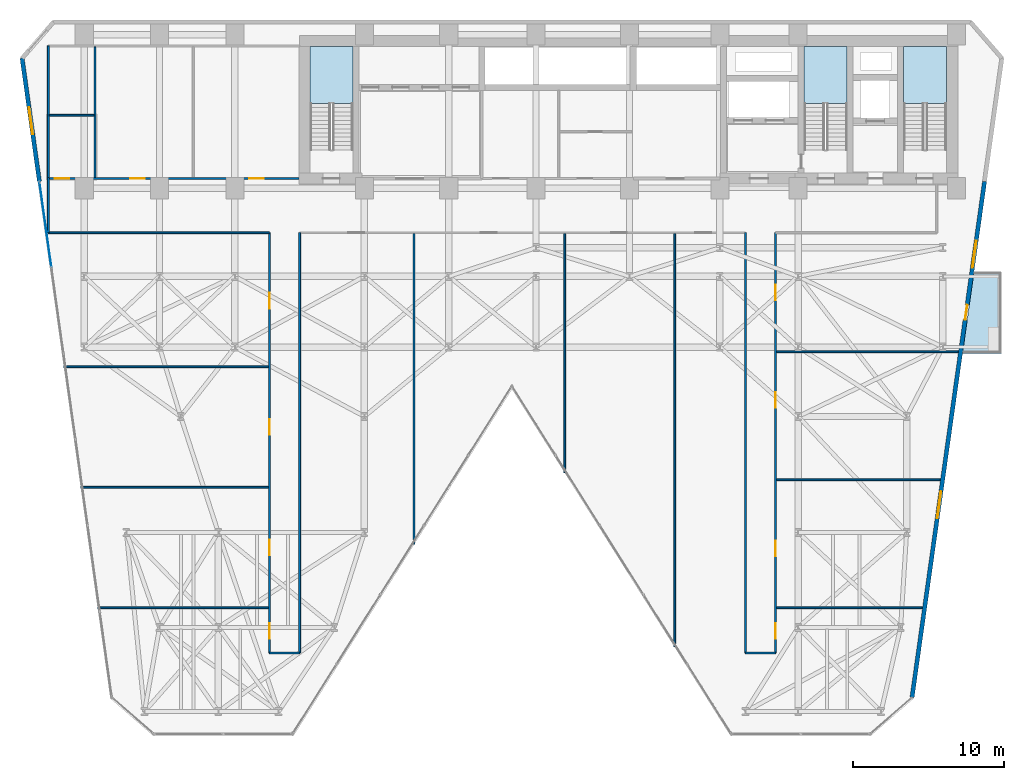
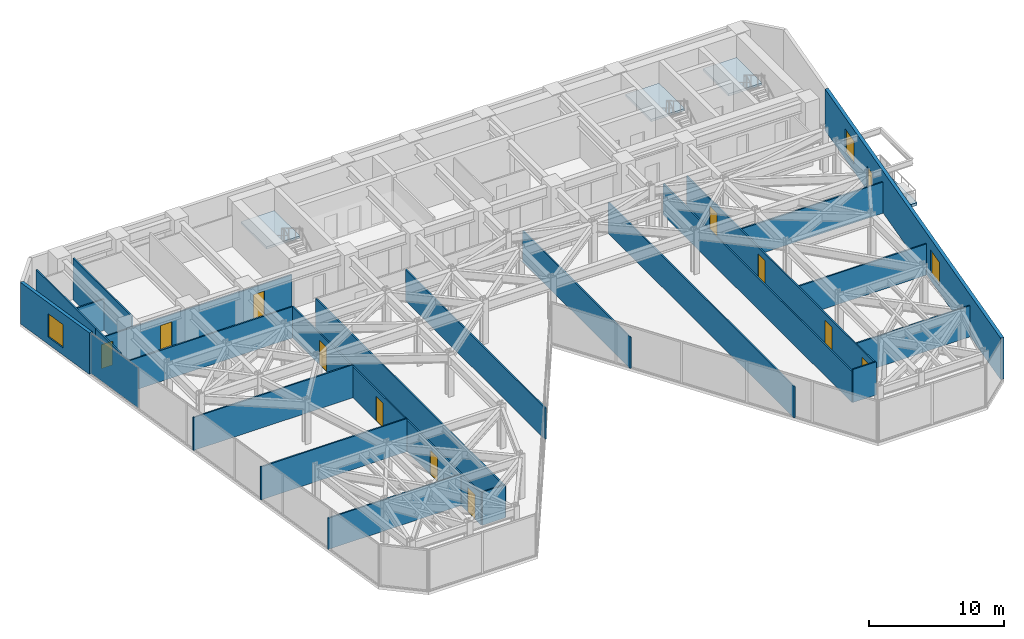
# One storey, part 19 of 24: 23 walls, 12 doors, 4 slabs, 3 windows, 1 plate, 15 openings, 4 elements without a shape of their own.
"""IFC4 building model written with IfcOpenShell, lengths in metres."""

import ifcopenshell
import ifcopenshell.guid

model = None  # the IFC model being written
_history = None  # IfcOwnerHistory: only IFC2X3 demands one
_inside = {}  # id of a spatial element -> (the spatial element, [elements in it])
_under = {}  # id of a project, library or spatial element -> (it, [spatial elements below it])
_declared = {}  # id of a project -> (the project, [libraries it declares])
_typed = {}  # id of a type object -> (the type object, [elements of that type])
_made_of = {}  # id of a material, layer set ... -> (it, [elements and type objects made of it])


def new_model(schema):
    """Start an empty IFC model of exactly this schema.

    Asked for "IFC4X3", IfcOpenShell would pick the latest addendum, in which some entities
    have other attributes; the version numbers below select the first issue.
    IFC2X3 requires an IfcOwnerHistory on every rooted entity: one is made here for all.
    """
    global model, _history
    if schema == "IFC4X3":
        model = ifcopenshell.file(schema_version=(4, 3, 0, 0))
    else:
        model = ifcopenshell.file(schema=schema)
    _inside.clear()
    _under.clear()
    _declared.clear()
    _typed.clear()
    _made_of.clear()
    _history = None
    if model.schema == "IFC2X3":
        org = make("IfcOrganization", Name="unknown")
        user = make(
            "IfcPersonAndOrganization",
            ThePerson=make("IfcPerson", FamilyName="unknown"),
            TheOrganization=org,
        )
        app = make(
            "IfcApplication",
            ApplicationDeveloper=org,
            Version="unknown",
            ApplicationFullName="unknown",
            ApplicationIdentifier="unknown",
        )
        _history = make(
            "IfcOwnerHistory",
            OwningUser=user,
            OwningApplication=app,
            ChangeAction="ADDED",
            CreationDate=0,
        )
    return model


def make(cls, **values):
    """One entity of the class cls with the attributes given. An attribute that is None is left unset."""
    return model.create_entity(
        cls, **{name: value for name, value in values.items() if value is not None}
    )


def rooted(cls, **values):
    """An entity with a GlobalId (a new one), such as an element, a storey or a relation."""
    return make(cls, GlobalId=ifcopenshell.guid.new(), OwnerHistory=_history, **values)


def si_unit(unit_type, name, prefix=None):
    """IfcSIUnit, for example si_unit("LENGTHUNIT", "METRE", prefix="MILLI")."""
    return make("IfcSIUnit", UnitType=unit_type, Prefix=prefix, Name=name)


def assignment(units):
    """IfcUnitAssignment: the units of a project."""
    return None if units is None else make("IfcUnitAssignment", Units=units)


def point(xyz):
    """IfcCartesianPoint."""
    return None if xyz is None else make("IfcCartesianPoint", Coordinates=xyz)


def direction(xyz):
    """IfcDirection."""
    return None if xyz is None else make("IfcDirection", DirectionRatios=xyz)


def frame(location, z_axis=None, x_axis=None):
    """IfcAxis2Placement3D, a coordinate frame: its origin and axes. An axis left out is left unset."""
    return make(
        "IfcAxis2Placement3D",
        Location=point(location),
        Axis=direction(z_axis),
        RefDirection=direction(x_axis),
    )


def frame_2d(location, x_axis=None):
    """IfcAxis2Placement2D, a coordinate frame in the plane: its origin and x axis."""
    return make(
        "IfcAxis2Placement2D", Location=point(location), RefDirection=direction(x_axis)
    )


def origin():
    """The frame at (0, 0, 0) with its axes left unset."""
    return frame((0.0, 0.0, 0.0))


def origin_2d():
    """The frame at (0, 0) in the plane with its x axis left unset."""
    return frame_2d((0.0, 0.0))


def place(relative_to, where):
    """IfcLocalPlacement: puts the frame where relative to a parent placement (None: the world)."""
    return make(
        "IfcLocalPlacement", PlacementRelTo=relative_to, RelativePlacement=where
    )


def context(
    kind, dimensions, precision=None, world=None, true_north=None, identifier=None
):
    """IfcGeometricRepresentationContext, for example the 3D "Model" context."""
    return make(
        "IfcGeometricRepresentationContext",
        ContextIdentifier=identifier,
        ContextType=kind,
        CoordinateSpaceDimension=dimensions,
        Precision=precision,
        WorldCoordinateSystem=world,
        TrueNorth=true_north,
    )


def subcontext(parent, identifier, kind, view, scale=None):
    """IfcGeometricRepresentationSubContext, for example "Body" below "Model"."""
    return make(
        "IfcGeometricRepresentationSubContext",
        ContextIdentifier=identifier,
        ContextType=kind,
        ParentContext=parent,
        TargetScale=scale,
        TargetView=view,
    )


def project(units=None, contexts=None):
    """IfcProject with its units and contexts."""
    return rooted(
        "IfcProject",
        Name="project",
        RepresentationContexts=contexts,
        UnitsInContext=assignment(units),
    )


def spatial(cls, under=None, at=None, **own):
    """A site, building, storey or space (cls), placed at a placement, below another one or the project."""
    s = rooted(cls, ObjectPlacement=at, **own)
    if under is not None:
        _under.setdefault(under.id(), (under, []))[1].append(s)
    return s


def polyline(points):
    """IfcPolyline through the points."""
    return make("IfcPolyline", Points=[point(p) for p in points])


def profile(cls, at=None, kind="AREA", **sizes):
    """A parametric profile (cls). Its sizes go by their IFC names, for example OverallWidth=200.0."""
    return make(cls, ProfileType=kind, Position=at, **sizes)


def rectangle(**sizes):
    """IfcRectangleProfileDef."""
    return profile("IfcRectangleProfileDef", **sizes)


def outline(outer, holes=None, kind="AREA"):
    """IfcArbitraryClosedProfileDef: a profile drawn as a closed curve; with holes, ...WithVoids."""
    if holes is None:
        return make("IfcArbitraryClosedProfileDef", ProfileType=kind, OuterCurve=outer)
    return make(
        "IfcArbitraryProfileDefWithVoids",
        ProfileType=kind,
        OuterCurve=outer,
        InnerCurves=holes,
    )


def extrude(swept, where, along, depth):
    """IfcExtrudedAreaSolid: the profile swept, set in the frame where, extruded along a direction by depth."""
    return make(
        "IfcExtrudedAreaSolid",
        SweptArea=swept,
        Position=where,
        ExtrudedDirection=direction(along),
        Depth=depth,
    )


def shape(context_of_items, identifier, shape_type, items):
    """IfcShapeRepresentation: the items that make up one representation, for example the "Body"."""
    return make(
        "IfcShapeRepresentation",
        ContextOfItems=context_of_items,
        RepresentationIdentifier=identifier,
        RepresentationType=shape_type,
        Items=items,
    )


def material(Name=None, Category=None):
    """IfcMaterial."""
    return make("IfcMaterial", Name=Name, Category=Category)


def layer(
    of_material, thickness, ventilated=None, Name=None, Category=None, Priority=None
):
    """IfcMaterialLayer: one layer of a wall or slab, of a material (None: an air gap)."""
    return make(
        "IfcMaterialLayer",
        Material=of_material,
        LayerThickness=thickness,
        IsVentilated=ventilated,
        Name=Name,
        Category=Category,
        Priority=Priority,
    )


def layer_set(layers, Name=None):
    """IfcMaterialLayerSet."""
    return make("IfcMaterialLayerSet", MaterialLayers=layers, LayerSetName=Name)


def made_of(thing, what):
    """Note that an element or type object is made of a material, layer set ...; save() writes the relation."""
    if what is not None:
        _made_of.setdefault(what.id(), (what, []))[1].append(thing)
    return thing


def type_object(cls, material=None, **own):
    """A type object (cls), such as IfcWallType, which elements share."""
    return made_of(rooted(cls, **own), material)


def element(
    cls,
    number,
    at=None,
    inside=None,
    cuts=None,
    type_object=None,
    material=None,
    context=None,
    identifier="Body",
    shape_type=None,
    held_by="IfcProductDefinitionShape",
    body=None,
    shapes=None,
    **own,
):
    """One element of the class cls, such as IfcWall. Its Tag is "e" and its number.

    at: its placement. inside: the storey or other place that contains it. cuts: it is an
    opening in that element (IfcRelVoidsElement). A single representation is given by context,
    identifier, shape_type and body (its items); several are given by shapes. held_by: the class
    of the entity that holds the representations. save() writes the other relations.
    """
    e = rooted(cls, Tag="e%d" % number, ObjectPlacement=at, **own)
    if body is not None:
        shapes = [shape(context, identifier, shape_type, body)]
    if shapes is not None:
        e.Representation = make(held_by, Representations=shapes)
    if inside is not None:
        _inside.setdefault(inside.id(), (inside, []))[1].append(e)
    if cuts is not None:
        rooted(
            "IfcRelVoidsElement", RelatingBuildingElement=cuts, RelatedOpeningElement=e
        )
    if type_object is not None:
        _typed.setdefault(type_object.id(), (type_object, []))[1].append(e)
    return made_of(e, material)


def fill(opening, filler):
    """IfcRelFillsElement: the door or window that sits in an opening."""
    return rooted(
        "IfcRelFillsElement",
        RelatingOpeningElement=opening,
        RelatedBuildingElement=filler,
    )


def aggregate(whole, parts):
    """IfcRelAggregates: a whole, such as a stair, and the parts it consists of."""
    return rooted("IfcRelAggregates", RelatingObject=whole, RelatedObjects=parts)


def save(model, path):
    """Write the relations noted so far, then the file.

    IfcRelAggregates (storeys below a building ...), IfcRelContainedInSpatialStructure (elements
    in a storey), IfcRelDefinesByType, IfcRelAssociatesMaterial and IfcRelDeclares: one each for
    every whole, place, type object, material and project.
    """
    for whole, parts in _under.values():
        aggregate(whole, parts)
    for where, things in _inside.values():
        rooted(
            "IfcRelContainedInSpatialStructure",
            RelatedElements=things,
            RelatingStructure=where,
        )
    for kind, things in _typed.values():
        rooted("IfcRelDefinesByType", RelatedObjects=things, RelatingType=kind)
    for what, things in _made_of.values():
        rooted("IfcRelAssociatesMaterial", RelatedObjects=things, RelatingMaterial=what)
    for by, libraries in _declared.values():
        rooted("IfcRelDeclares", RelatingContext=by, RelatedDefinitions=libraries)
    model.write(path)


model = new_model("IFC4")

# Units and contexts
model_context = context("Model", 3, precision=1e-05, world=origin(), true_north=direction((0.0, 1.0)))
body_context = subcontext(model_context, "Body", "Model", "MODEL_VIEW")
ifc_project = project(units=[si_unit("LENGTHUNIT", "METRE"), si_unit("AREAUNIT", "SQUARE_METRE"), si_unit("VOLUMEUNIT", "CUBIC_METRE"), si_unit("PLANEANGLEUNIT", "RADIAN"), si_unit("MASSUNIT", "GRAM", prefix="KILO")], contexts=[model_context])

# Site, building, storey
site_placement = place(None, origin())
site = spatial("IfcSite", under=ifc_project, at=site_placement, CompositionType="ELEMENT")
building_placement = place(site_placement, origin())
building = spatial("IfcBuilding", under=site, at=building_placement, Name="Kravanh Interchange Tower", CompositionType="ELEMENT")
storey_placement = place(building_placement, frame((0.0, 0.0, 53.5)))
storey = spatial("IfcBuildingStorey", under=building, at=storey_placement, Name="L12", CompositionType="ELEMENT", Elevation=53.5)

# Stair, slab
ifc_material_1 = material(Name="Concrete C50/60", Category="concrete")
stair_type = type_object("IfcStairType", Name="Core Fire Exit Dogleg Stair Concrete C50/60", PredefinedType="HALF_TURN_STAIR", material=ifc_material_1)
stair_1_placement = place(storey_placement, origin())
stair_1 = element("IfcStair", 1, at=stair_1_placement, inside=storey, type_object=stair_type, Name="L12 Exit Stair ST1", PredefinedType="HALF_TURN_STAIR")
ifc_material_2 = material(Name="Concrete C50/60", Category="concrete")
ifc_layer_1 = layer(ifc_material_2, 0.199951171875)
ifc_layer_set_1 = layer_set([ifc_layer_1], Name="Concrete C50/60 Stair Half-Landing Slab 200mm")
slab_type_1 = type_object("IfcSlabType", Name="Concrete C50/60 Stair Half-Landing Slab 200mm", PredefinedType="LANDING", material=ifc_layer_set_1)
slab_1_placement = place(storey_placement, frame((0.0, 0.0, 1.800048828125)))
slab_1 = element("IfcSlab", 2, at=slab_1_placement, type_object=slab_type_1, Name="ST1 landing 1", PredefinedType="LANDING", context=body_context, shape_type="SweptSolid", body=[
    extrude(outline(polyline([(65.85009765625, 42.97998046875), (65.85009765625, 46.75), (63.0, 46.75), (63.0, 42.97998046875), (65.85009765625, 42.97998046875)])), origin(), (0.0, 0.0, 1.0), 0.199951171875),
])
aggregate(stair_1, [slab_1])

stair_2_placement = place(storey_placement, origin())
stair_2 = element("IfcStair", 3, at=stair_2_placement, inside=storey, type_object=stair_type, Name="L12 Exit Stair ST2", PredefinedType="HALF_TURN_STAIR")
slab_2_placement = place(storey_placement, frame((0.0, 0.0, 1.800048828125)))
slab_2 = element("IfcSlab", 4, at=slab_2_placement, type_object=slab_type_1, Name="ST2 landing 1", PredefinedType="LANDING", context=body_context, shape_type="SweptSolid", body=[
    extrude(outline(polyline([(59.25, 42.97998046875), (59.25, 46.75), (56.39990234375, 46.75), (56.39990234375, 42.97998046875), (59.25, 42.97998046875)])), origin(), (0.0, 0.0, 1.0), 0.199951171875),
])
aggregate(stair_2, [slab_2])

stair_3_placement = place(storey_placement, origin())
stair_3 = element("IfcStair", 5, at=stair_3_placement, inside=storey, type_object=stair_type, Name="L12 Exit Stair ST3", PredefinedType="HALF_TURN_STAIR")
slab_3_placement = place(storey_placement, frame((0.0, 0.0, 1.800048828125)))
slab_3 = element("IfcSlab", 6, at=slab_3_placement, type_object=slab_type_1, Name="ST3 landing 1", PredefinedType="LANDING", context=body_context, shape_type="SweptSolid", body=[
    extrude(outline(polyline([(26.449951171875, 42.97998046875), (26.449951171875, 46.75), (23.60009765625, 46.75), (23.60009765625, 42.97998046875), (26.449951171875, 42.97998046875)])), origin(), (0.0, 0.0, 1.0), 0.199951171875),
])
aggregate(stair_3, [slab_3])

# Slab
ifc_material_3 = material(Name="Concrete C50/60", Category="concrete")
ifc_layer_2 = layer(ifc_material_3, 0.199951171875)
ifc_layer_set_2 = layer_set([ifc_layer_2], Name="Planted Tree Balcony Slab Concrete C50/60 200mm")
slab_type_2 = type_object("IfcSlabType", Name="Planted Tree Balcony Slab Concrete C50/60 200mm", PredefinedType="USERDEFINED", material=ifc_layer_set_2)
slab_4_placement = place(storey_placement, frame((0.0, 0.0, -0.260009765625)))
element("IfcSlab", 7, at=slab_4_placement, inside=storey, type_object=slab_type_2, Name="L12 East Tree Planter Balcony Slab", ObjectType="BALCONY", PredefinedType="USERDEFINED", context=body_context, shape_type="SweptSolid", body=[
    extrude(outline(polyline([(69.489990234375, 31.7900390625), (69.489990234375, 26.389892578125), (66.90771484375, 26.389892578125), (67.666748046875, 31.7900390625), (69.489990234375, 31.7900390625)])), origin(), (0.0, 0.0, 1.0), 0.260009765625),
])

# Curtain wall, plate
ifc_material_4 = material(Name="Anodised Bronze Aluminium", Category="aluminium")
ifc_layer_3 = layer(ifc_material_4, 0.179931640625)
ifc_layer_set_3 = layer_set([ifc_layer_3], Name="Unitised Curtain Wall System CW-Z1 Lower Office")
curtain_wall_type = type_object("IfcCurtainWallType", Name="Unitised Curtain Wall System CW-Z1 Lower Office", PredefinedType="NOTDEFINED", material=ifc_layer_set_3)
curtain_wall_placement = place(storey_placement, origin())
curtain_wall = element("IfcCurtainWall", 8, at=curtain_wall_placement, inside=storey, type_object=curtain_wall_type, Name="L12 Unitised Curtain Wall CW-L12-01", PredefinedType="NOTDEFINED")
ifc_material_5 = material(Name="Low-E Laminated Architectural Glass", Category="glass")
ifc_layer_4 = layer(ifc_material_5, 0.028076171875)
ifc_layer_set_4 = layer_set([ifc_layer_4], Name="Solar-Control Double Glazing 28mm")
plate_type = type_object("IfcPlateType", Name="Solar-Control Double Glazing 28mm", PredefinedType="CURTAIN_PANEL", material=ifc_layer_set_4)
plate_placement = place(storey_placement, frame((6.028564453125, 34.927490234375, 0.06005859375), z_axis=(0.0, 0.0, 1.0), x_axis=(-0.139176538065, 0.990267585682, 0.0)))
plate = element("IfcPlate", 9, at=plate_placement, type_object=plate_type, Name="CW-Z1 panel 6.1", PredefinedType="CURTAIN_PANEL", context=body_context, shape_type="SweptSolid", body=[
    extrude(rectangle(XDim=5.66162109375, YDim=0.028076171875, at=origin_2d()), origin(), (0.0, 0.0, 1.0), 3.6201171875),
])
aggregate(curtain_wall, [plate])

# Wall, openings, doors
ifc_material_6 = material(Name="Double Acoustic Gypsum Board and Mineral Wool")
ifc_layer_5 = layer(ifc_material_6, 0.1201171875)
ifc_layer_set_5 = layer_set([ifc_layer_5], Name="Acoustic Office Drywall Partition 120mm")
wall_type_1 = type_object("IfcWallType", Name="Acoustic Office Drywall Partition 120mm", PredefinedType="PARTITIONING", material=ifc_layer_set_5)
wall_1_placement = place(storey_placement, frame((6.219970703125, 38.0, 0.0), z_axis=(0.0, 0.0, 1.0), x_axis=(1.0, 0.0, 0.0)))
wall_1 = element("IfcWall", 10, at=wall_1_placement, inside=storey, type_object=wall_type_1, Name="L12 Restroom Corridor Wall 7", PredefinedType="PARTITIONING", context=body_context, shape_type="SweptSolid", body=[
    extrude(rectangle(XDim=16.630126953125, YDim=0.1201171875, at=frame_2d((8.31494140625, 0.0))), origin(), (0.0, 0.0, 1.0), 2.81298828125),
])
opening_1_placement = place(wall_1_placement, frame((0.424072265625, 0.0, 0.0)))
opening_1 = element("IfcOpeningElement", 11, at=opening_1_placement, cuts=wall_1, Name="Opening D-95", PredefinedType="OPENING", context=body_context, shape_type="SweptSolid", body=[
    extrude(rectangle(XDim=0.949951171875, YDim=2.14990234375, at=frame_2d((0.47509765625, 1.074951171875))), frame((0.0, 0.070068359375, 0.0), z_axis=(0.0, -1.0, 0.0), x_axis=(1.0, 0.0, 0.0)), (0.0, 0.0, 1.0), 0.14013671875),
])
opening_2_placement = place(wall_1_placement, frame((5.444091796875, 0.0, 0.0)))
opening_2 = element("IfcOpeningElement", 12, at=opening_2_placement, cuts=wall_1, Name="Opening D-95", PredefinedType="OPENING", context=body_context, shape_type="SweptSolid", body=[
    extrude(rectangle(XDim=0.949951171875, YDim=2.14990234375, at=frame_2d((0.47509765625, 1.074951171875))), frame((0.0, 0.070068359375, 0.0), z_axis=(0.0, -1.0, 0.0), x_axis=(1.0, 0.0, 0.0)), (0.0, 0.0, 1.0), 0.14013671875),
])
opening_3_placement = place(wall_1_placement, frame((13.343994140625, 0.0, 0.0)))
opening_3 = element("IfcOpeningElement", 13, at=opening_3_placement, cuts=wall_1, Name="Opening D-95", PredefinedType="OPENING", context=body_context, shape_type="SweptSolid", body=[
    extrude(rectangle(XDim=0.949951171875, YDim=2.14990234375, at=frame_2d((0.47509765625, 1.074951171875))), frame((0.0, 0.070068359375, 0.0), z_axis=(0.0, -1.0, 0.0), x_axis=(1.0, 0.0, 0.0)), (0.0, 0.0, 1.0), 0.14013671875),
])
ifc_material_7 = material(Name="Laminate Solid-Core Timber", Category="wood")
door_type_1 = type_object("IfcDoorType", Name="Accessible Restroom Door 950x2150", OperationType="NOTDEFINED", PredefinedType="DOOR", material=ifc_material_7)
door_1_placement = place(opening_1_placement, origin())
door_1 = element("IfcDoor", 14, at=door_1_placement, inside=storey, type_object=door_type_1, Name="L12 Accessible WC Door", OperationType="SINGLE_SWING_RIGHT", OverallHeight=2.14990234375, OverallWidth=0.949951171875, PredefinedType="DOOR", context=body_context, shape_type="SweptSolid", body=[
    extrude(rectangle(XDim=0.949951171875, YDim=2.14990234375, at=frame_2d((0.47509765625, 1.074951171875))), frame((0.0, 0.02490234375, 0.0), z_axis=(0.0, -1.0, 0.0), x_axis=(1.0, 0.0, 0.0)), (0.0, 0.0, 1.0), 0.050048828125),
])
fill(opening_1, door_1)
door_2_placement = place(opening_2_placement, origin())
door_2 = element("IfcDoor", 15, at=door_2_placement, inside=storey, type_object=door_type_1, Name="L12 Female WC Door", OperationType="SINGLE_SWING_LEFT", OverallHeight=2.14990234375, OverallWidth=0.949951171875, PredefinedType="DOOR", context=body_context, shape_type="SweptSolid", body=[
    extrude(rectangle(XDim=0.949951171875, YDim=2.14990234375, at=frame_2d((0.47509765625, 1.074951171875))), frame((0.0, 0.02490234375, 0.0), z_axis=(0.0, -1.0, 0.0), x_axis=(1.0, 0.0, 0.0)), (0.0, 0.0, 1.0), 0.050048828125),
])
fill(opening_2, door_2)
door_3_placement = place(opening_3_placement, origin())
door_3 = element("IfcDoor", 16, at=door_3_placement, inside=storey, type_object=door_type_1, Name="L12 Male WC Door", OperationType="SINGLE_SWING_RIGHT", OverallHeight=2.14990234375, OverallWidth=0.949951171875, PredefinedType="DOOR", context=body_context, shape_type="SweptSolid", body=[
    extrude(rectangle(XDim=0.949951171875, YDim=2.14990234375, at=frame_2d((0.47509765625, 1.074951171875))), frame((0.0, 0.02490234375, 0.0), z_axis=(0.0, -1.0, 0.0), x_axis=(1.0, 0.0, 0.0)), (0.0, 0.0, 1.0), 0.050048828125),
])
fill(opening_3, door_3)

# Walls
wall_2_placement = place(storey_placement, frame((6.219970703125, 38.0, 0.0), z_axis=(0.0, 0.0, 1.0), x_axis=(0.0, 1.0, 0.0)))
element("IfcWall", 17, at=wall_2_placement, inside=storey, type_object=wall_type_1, Name="L12 Restroom West Enclosure 8", PredefinedType="PARTITIONING", context=body_context, shape_type="SweptSolid", body=[
    extrude(rectangle(XDim=8.800048828125, YDim=0.1201171875, at=frame_2d((4.39990234375, 0.0))), origin(), (0.0, 0.0, 1.0), 3.739990234375),
])
wall_3_placement = place(storey_placement, frame((9.320068359375, 38.068115234375, 0.0), z_axis=(0.0, 0.0, 1.0), x_axis=(0.0, 1.0, 0.0)))
element("IfcWall", 18, at=wall_3_placement, inside=storey, type_object=wall_type_1, Name="L12 Interior Partition 10", PredefinedType="PARTITIONING", context=body_context, shape_type="SweptSolid", body=[
    extrude(rectangle(XDim=8.663818359375, YDim=0.1201171875, at=frame_2d((4.33203125, 0.0))), origin(), (0.0, 0.0, 1.0), 3.739990234375),
])
wall_4_placement = place(storey_placement, frame((6.2880859375, 42.199951171875, 0.0), z_axis=(0.0, 0.0, 1.0), x_axis=(1.0, 0.0, 0.0)))
element("IfcWall", 19, at=wall_4_placement, inside=storey, type_object=wall_type_1, Name="L12 Interior Partition 12", PredefinedType="PARTITIONING", context=body_context, shape_type="SweptSolid", body=[
    extrude(rectangle(XDim=2.9638671875, YDim=0.1201171875, at=frame_2d((1.48193359375, 0.0))), origin(), (0.0, 0.0, 1.0), 2.81298828125),
])
wall_5_placement = place(storey_placement, frame((6.219970703125, 34.39990234375, 0.0), z_axis=(0.0, 0.0, 1.0), x_axis=(1.0, 0.0, 0.0)))
element("IfcWall", 20, at=wall_5_placement, inside=storey, type_object=wall_type_1, Name="L12 Interior Partition 13", PredefinedType="PARTITIONING", context=body_context, shape_type="SweptSolid", body=[
    extrude(rectangle(XDim=14.679931640625, YDim=0.1201171875, at=frame_2d((7.33984375, 0.0))), origin(), (0.0, 0.0, 1.0), 2.81298828125),
])
wall_6_placement = place(storey_placement, frame((6.219970703125, 34.39990234375, 0.0), z_axis=(0.0, 0.0, 1.0), x_axis=(0.0, 1.0, 0.0)))
element("IfcWall", 21, at=wall_6_placement, inside=storey, type_object=wall_type_1, Name="L12 Interior Partition 16", PredefinedType="PARTITIONING", context=body_context, shape_type="SweptSolid", body=[
    extrude(rectangle(XDim=3.650146484375, YDim=0.1201171875, at=frame_2d((1.8251953125, 0.0))), origin(), (0.0, 0.0, 1.0), 3.739990234375),
])

# Wall, openings, doors
wall_7_placement = place(storey_placement, frame((20.89990234375, 6.5, 0.0), z_axis=(0.0, 0.0, 1.0), x_axis=(0.0, 1.0, 0.0)))
wall_7 = element("IfcWall", 22, at=wall_7_placement, inside=storey, type_object=wall_type_1, Name="L12 Interior Partition 18", PredefinedType="PARTITIONING", context=body_context, shape_type="SweptSolid", body=[
    extrude(rectangle(XDim=27.89990234375, YDim=0.1201171875, at=frame_2d((13.949951171875, 0.0))), origin(), (0.0, 0.0, 1.0), 2.81298828125),
])
opening_4_placement = place(wall_7_placement, frame((0.93310546875, 0.0, 0.0)))
opening_4 = element("IfcOpeningElement", 23, at=opening_4_placement, cuts=wall_7, Name="Opening D-105", PredefinedType="OPENING", context=body_context, shape_type="SweptSolid", body=[
    extrude(rectangle(XDim=1.050048828125, YDim=2.199951171875, at=frame_2d((0.52490234375, 1.10009765625))), frame((0.0, 0.070068359375, 0.0), z_axis=(0.0, -1.0, 0.0), x_axis=(1.0, 0.0, 0.0)), (0.0, 0.0, 1.0), 0.14013671875),
])
opening_5_placement = place(wall_7_placement, frame((6.47509765625, 0.0, 0.0)))
opening_5 = element("IfcOpeningElement", 24, at=opening_5_placement, cuts=wall_7, Name="Opening D-105", PredefinedType="OPENING", context=body_context, shape_type="SweptSolid", body=[
    extrude(rectangle(XDim=1.050048828125, YDim=2.199951171875, at=frame_2d((0.52490234375, 1.10009765625))), frame((0.0, 0.070068359375, 0.0), z_axis=(0.0, -1.0, 0.0), x_axis=(1.0, 0.0, 0.0)), (0.0, 0.0, 1.0), 0.14013671875),
])
opening_6_placement = place(wall_7_placement, frame((14.47509765625, 0.0, 0.0)))
opening_6 = element("IfcOpeningElement", 25, at=opening_6_placement, cuts=wall_7, Name="Opening D-105", PredefinedType="OPENING", context=body_context, shape_type="SweptSolid", body=[
    extrude(rectangle(XDim=1.050048828125, YDim=2.199951171875, at=frame_2d((0.52490234375, 1.10009765625))), frame((0.0, 0.070068359375, 0.0), z_axis=(0.0, -1.0, 0.0), x_axis=(1.0, 0.0, 0.0)), (0.0, 0.0, 1.0), 0.14013671875),
])
opening_7_placement = place(wall_7_placement, frame((22.860107421875, 0.0, 0.0)))
opening_7 = element("IfcOpeningElement", 26, at=opening_7_placement, cuts=wall_7, Name="Opening D-105", PredefinedType="OPENING", context=body_context, shape_type="SweptSolid", body=[
    extrude(rectangle(XDim=1.050048828125, YDim=2.199951171875, at=frame_2d((0.52490234375, 1.10009765625))), frame((0.0, 0.070068359375, 0.0), z_axis=(0.0, -1.0, 0.0), x_axis=(1.0, 0.0, 0.0)), (0.0, 0.0, 1.0), 0.14013671875),
])
ifc_material_8 = material(Name="Acoustic Glazed Oak and Aluminium", Category="aluminium")
door_type_2 = type_object("IfcDoorType", Name="Office Workplace Door 1050x2200", OperationType="NOTDEFINED", PredefinedType="DOOR", material=ifc_material_8)
door_4_placement = place(opening_4_placement, origin())
door_4 = element("IfcDoor", 27, at=door_4_placement, inside=storey, type_object=door_type_2, Name="L12 SW Research Study Door", OperationType="SINGLE_SWING_LEFT", OverallHeight=2.199951171875, OverallWidth=1.050048828125, PredefinedType="DOOR", context=body_context, shape_type="SweptSolid", body=[
    extrude(rectangle(XDim=1.050048828125, YDim=2.199951171875, at=frame_2d((0.52490234375, 1.10009765625))), frame((0.0, 0.02490234375, 0.0), z_axis=(0.0, -1.0, 0.0), x_axis=(1.0, 0.0, 0.0)), (0.0, 0.0, 1.0), 0.050048828125),
])
fill(opening_4, door_4)
door_5_placement = place(opening_5_placement, origin())
door_5 = element("IfcDoor", 28, at=door_5_placement, inside=storey, type_object=door_type_2, Name="L12 West Analyst Study Door", OperationType="SINGLE_SWING_RIGHT", OverallHeight=2.199951171875, OverallWidth=1.050048828125, PredefinedType="DOOR", context=body_context, shape_type="SweptSolid", body=[
    extrude(rectangle(XDim=1.050048828125, YDim=2.199951171875, at=frame_2d((0.52490234375, 1.10009765625))), frame((0.0, 0.02490234375, 0.0), z_axis=(0.0, -1.0, 0.0), x_axis=(1.0, 0.0, 0.0)), (0.0, 0.0, 1.0), 0.050048828125),
])
fill(opening_5, door_5)
door_6_placement = place(opening_6_placement, origin())
door_6 = element("IfcDoor", 29, at=door_6_placement, inside=storey, type_object=door_type_2, Name="L12 West Balcony Office Door", OperationType="SINGLE_SWING_LEFT", OverallHeight=2.199951171875, OverallWidth=1.050048828125, PredefinedType="DOOR", context=body_context, shape_type="SweptSolid", body=[
    extrude(rectangle(XDim=1.050048828125, YDim=2.199951171875, at=frame_2d((0.52490234375, 1.10009765625))), frame((0.0, 0.02490234375, 0.0), z_axis=(0.0, -1.0, 0.0), x_axis=(1.0, 0.0, 0.0)), (0.0, 0.0, 1.0), 0.050048828125),
])
fill(opening_6, door_6)
door_7_placement = place(opening_7_placement, origin())
door_7 = element("IfcDoor", 30, at=door_7_placement, inside=storey, type_object=door_type_2, Name="L12 NW Records Store Door", OperationType="SINGLE_SWING_RIGHT", OverallHeight=2.199951171875, OverallWidth=1.050048828125, PredefinedType="DOOR", context=body_context, shape_type="SweptSolid", body=[
    extrude(rectangle(XDim=1.050048828125, YDim=2.199951171875, at=frame_2d((0.52490234375, 1.10009765625))), frame((0.0, 0.02490234375, 0.0), z_axis=(0.0, -1.0, 0.0), x_axis=(1.0, 0.0, 0.0)), (0.0, 0.0, 1.0), 0.050048828125),
])
fill(opening_7, door_7)

# Walls
wall_8_placement = place(storey_placement, frame((22.89990234375, 6.5, 0.0), z_axis=(0.0, 0.0, 1.0), x_axis=(0.0, 1.0, 0.0)))
element("IfcWall", 31, at=wall_8_placement, inside=storey, type_object=wall_type_1, Name="L12 Interior Partition 19", PredefinedType="PARTITIONING", context=body_context, shape_type="SweptSolid", body=[
    extrude(rectangle(XDim=27.89990234375, YDim=0.1201171875, at=frame_2d((13.949951171875, 0.0))), origin(), (0.0, 0.0, 1.0), 2.81298828125),
])
wall_9_placement = place(storey_placement, frame((20.89990234375, 6.5, 0.0), z_axis=(0.0, 0.0, 1.0), x_axis=(1.0, 0.0, 0.0)))
element("IfcWall", 32, at=wall_9_placement, inside=storey, type_object=wall_type_1, Name="L12 Interior Partition 20", PredefinedType="PARTITIONING", context=body_context, shape_type="SweptSolid", body=[
    extrude(rectangle(XDim=2.0, YDim=0.1201171875, at=frame_2d((1.0, 0.0))), origin(), (0.0, 0.0, 1.0), 2.97802734375),
])
wall_10_placement = place(storey_placement, frame((52.5, 6.5, 0.0), z_axis=(0.0, 0.0, 1.0), x_axis=(0.0, 1.0, 0.0)))
element("IfcWall", 33, at=wall_10_placement, inside=storey, type_object=wall_type_1, Name="L12 Interior Partition 21", PredefinedType="PARTITIONING", context=body_context, shape_type="SweptSolid", body=[
    extrude(rectangle(XDim=27.89990234375, YDim=0.1201171875, at=frame_2d((13.949951171875, 0.0))), origin(), (0.0, 0.0, 1.0), 2.81298828125),
])

# Wall, openings, doors
wall_11_placement = place(storey_placement, frame((54.5, 6.5, 0.0), z_axis=(0.0, 0.0, 1.0), x_axis=(0.0, 1.0, 0.0)))
wall_11 = element("IfcWall", 34, at=wall_11_placement, inside=storey, type_object=wall_type_1, Name="L12 Interior Partition 22", PredefinedType="PARTITIONING", context=body_context, shape_type="SweptSolid", body=[
    extrude(rectangle(XDim=27.89990234375, YDim=0.1201171875, at=frame_2d((13.949951171875, 0.0))), origin(), (0.0, 0.0, 1.0), 2.81298828125),
])
opening_8_placement = place(wall_11_placement, frame((0.93310546875, 0.0, 0.0)))
opening_8 = element("IfcOpeningElement", 35, at=opening_8_placement, cuts=wall_11, Name="Opening D-105", PredefinedType="OPENING", context=body_context, shape_type="SweptSolid", body=[
    extrude(rectangle(XDim=1.050048828125, YDim=2.199951171875, at=frame_2d((0.52490234375, 1.10009765625))), frame((0.0, 0.070068359375, 0.0), z_axis=(0.0, -1.0, 0.0), x_axis=(1.0, 0.0, 0.0)), (0.0, 0.0, 1.0), 0.14013671875),
])
opening_9_placement = place(wall_11_placement, frame((6.402587890625, 0.0, 0.0)))
opening_9 = element("IfcOpeningElement", 36, at=opening_9_placement, cuts=wall_11, Name="Opening D-105", PredefinedType="OPENING", context=body_context, shape_type="SweptSolid", body=[
    extrude(rectangle(XDim=1.050048828125, YDim=2.199951171875, at=frame_2d((0.52490234375, 1.10009765625))), frame((0.0, 0.070068359375, 0.0), z_axis=(0.0, -1.0, 0.0), x_axis=(1.0, 0.0, 0.0)), (0.0, 0.0, 1.0), 0.14013671875),
])
opening_10_placement = place(wall_11_placement, frame((16.2724609375, 0.0, 0.0)))
opening_10 = element("IfcOpeningElement", 37, at=opening_10_placement, cuts=wall_11, Name="Opening D-105", PredefinedType="OPENING", context=body_context, shape_type="SweptSolid", body=[
    extrude(rectangle(XDim=1.050048828125, YDim=2.199951171875, at=frame_2d((0.52490234375, 1.10009765625))), frame((0.0, 0.070068359375, 0.0), z_axis=(0.0, -1.0, 0.0), x_axis=(1.0, 0.0, 0.0)), (0.0, 0.0, 1.0), 0.14013671875),
])
opening_11_placement = place(wall_11_placement, frame((23.39990234375, 0.0, 0.0)))
opening_11 = element("IfcOpeningElement", 38, at=opening_11_placement, cuts=wall_11, Name="Opening D-105", PredefinedType="OPENING", context=body_context, shape_type="SweptSolid", body=[
    extrude(rectangle(XDim=1.050048828125, YDim=2.199951171875, at=frame_2d((0.52490234375, 1.10009765625))), frame((0.0, 0.070068359375, 0.0), z_axis=(0.0, -1.0, 0.0), x_axis=(1.0, 0.0, 0.0)), (0.0, 0.0, 1.0), 0.14013671875),
])
door_8_placement = place(opening_8_placement, origin())
door_8 = element("IfcDoor", 39, at=door_8_placement, inside=storey, type_object=door_type_2, Name="L12 SE Legal Study Door", OperationType="SINGLE_SWING_LEFT", OverallHeight=2.199951171875, OverallWidth=1.050048828125, PredefinedType="DOOR", context=body_context, shape_type="SweptSolid", body=[
    extrude(rectangle(XDim=1.050048828125, YDim=2.199951171875, at=frame_2d((0.52490234375, 1.10009765625))), frame((0.0, 0.02490234375, 0.0), z_axis=(0.0, -1.0, 0.0), x_axis=(1.0, 0.0, 0.0)), (0.0, 0.0, 1.0), 0.050048828125),
])
fill(opening_8, door_8)
door_9_placement = place(opening_9_placement, origin())
door_9 = element("IfcDoor", 40, at=door_9_placement, inside=storey, type_object=door_type_2, Name="L12 East Policy Study Door", OperationType="SINGLE_SWING_RIGHT", OverallHeight=2.199951171875, OverallWidth=1.050048828125, PredefinedType="DOOR", context=body_context, shape_type="SweptSolid", body=[
    extrude(rectangle(XDim=1.050048828125, YDim=2.199951171875, at=frame_2d((0.52490234375, 1.10009765625))), frame((0.0, 0.02490234375, 0.0), z_axis=(0.0, -1.0, 0.0), x_axis=(1.0, 0.0, 0.0)), (0.0, 0.0, 1.0), 0.050048828125),
])
fill(opening_9, door_9)
door_10_placement = place(opening_10_placement, origin())
door_10 = element("IfcDoor", 41, at=door_10_placement, inside=storey, type_object=door_type_2, Name="L12 East Balcony Office Door", OperationType="SINGLE_SWING_LEFT", OverallHeight=2.199951171875, OverallWidth=1.050048828125, PredefinedType="DOOR", context=body_context, shape_type="SweptSolid", body=[
    extrude(rectangle(XDim=1.050048828125, YDim=2.199951171875, at=frame_2d((0.52490234375, 1.10009765625))), frame((0.0, 0.02490234375, 0.0), z_axis=(0.0, -1.0, 0.0), x_axis=(1.0, 0.0, 0.0)), (0.0, 0.0, 1.0), 0.050048828125),
])
fill(opening_10, door_10)
door_11_placement = place(opening_11_placement, origin())
door_11 = element("IfcDoor", 42, at=door_11_placement, inside=storey, type_object=door_type_2, Name="L12 NE Archive Store Door", OperationType="SINGLE_SWING_RIGHT", OverallHeight=2.199951171875, OverallWidth=1.050048828125, PredefinedType="DOOR", context=body_context, shape_type="SweptSolid", body=[
    extrude(rectangle(XDim=1.050048828125, YDim=2.199951171875, at=frame_2d((0.52490234375, 1.10009765625))), frame((0.0, 0.02490234375, 0.0), z_axis=(0.0, -1.0, 0.0), x_axis=(1.0, 0.0, 0.0)), (0.0, 0.0, 1.0), 0.050048828125),
])
fill(opening_11, door_11)

# Walls
wall_12_placement = place(storey_placement, frame((52.5, 6.5, 0.0), z_axis=(0.0, 0.0, 1.0), x_axis=(1.0, 0.0, 0.0)))
element("IfcWall", 43, at=wall_12_placement, inside=storey, type_object=wall_type_1, Name="L12 Interior Partition 23", PredefinedType="PARTITIONING", context=body_context, shape_type="SweptSolid", body=[
    extrude(rectangle(XDim=2.0, YDim=0.1201171875, at=frame_2d((1.0, 0.0))), origin(), (0.0, 0.0, 1.0), 2.97802734375),
])
wall_13_placement = place(storey_placement, frame((9.496337890625, 9.5, 0.0), z_axis=(0.0, 0.0, 1.0), x_axis=(1.0, 0.0, 0.0)))
element("IfcWall", 44, at=wall_13_placement, inside=storey, type_object=wall_type_1, Name="L12 Interior Partition 24", PredefinedType="PARTITIONING", context=body_context, shape_type="SweptSolid", body=[
    extrude(rectangle(XDim=11.335693359375, YDim=0.1201171875, at=frame_2d((5.66796875, 0.0))), origin(), (0.0, 0.0, 1.0), 2.81298828125),
])
wall_14_placement = place(storey_placement, frame((8.371826171875, 17.5, 0.0), z_axis=(0.0, 0.0, 1.0), x_axis=(1.0, 0.0, 0.0)))
element("IfcWall", 45, at=wall_14_placement, inside=storey, type_object=wall_type_1, Name="L12 Interior Partition 25", PredefinedType="PARTITIONING", context=body_context, shape_type="SweptSolid", body=[
    extrude(rectangle(XDim=12.460205078125, YDim=0.1201171875, at=frame_2d((6.22998046875, 0.0))), origin(), (0.0, 0.0, 1.0), 2.97802734375),
])
wall_15_placement = place(storey_placement, frame((7.24755859375, 25.5, 0.0), z_axis=(0.0, 0.0, 1.0), x_axis=(1.0, 0.0, 0.0)))
element("IfcWall", 46, at=wall_15_placement, inside=storey, type_object=wall_type_1, Name="L12 Interior Partition 26", PredefinedType="PARTITIONING", context=body_context, shape_type="SweptSolid", body=[
    extrude(rectangle(XDim=13.58447265625, YDim=0.1201171875, at=frame_2d((6.792236328125, 0.0))), origin(), (0.0, 0.0, 1.0), 2.97802734375),
])
wall_16_placement = place(storey_placement, frame((54.568115234375, 9.5, 0.0), z_axis=(0.0, 0.0, 1.0), x_axis=(1.0, 0.0, 0.0)))
element("IfcWall", 47, at=wall_16_placement, inside=storey, type_object=wall_type_1, Name="L12 Interior Partition 27", PredefinedType="PARTITIONING", context=body_context, shape_type="SweptSolid", body=[
    extrude(rectangle(XDim=9.6630859375, YDim=0.1201171875, at=frame_2d((4.83154296875, 0.0))), origin(), (0.0, 0.0, 1.0), 2.81298828125),
])
wall_17_placement = place(storey_placement, frame((54.568115234375, 18.0, 0.0), z_axis=(0.0, 0.0, 1.0), x_axis=(1.0, 0.0, 0.0)))
element("IfcWall", 48, at=wall_17_placement, inside=storey, type_object=wall_type_1, Name="L12 Interior Partition 28", PredefinedType="PARTITIONING", context=body_context, shape_type="SweptSolid", body=[
    extrude(rectangle(XDim=10.857666015625, YDim=0.1201171875, at=frame_2d((5.4287109375, 0.0))), origin(), (0.0, 0.0, 1.0), 2.81298828125),
])
wall_18_placement = place(storey_placement, frame((54.568115234375, 26.5, 0.0), z_axis=(0.0, 0.0, 1.0), x_axis=(1.0, 0.0, 0.0)))
element("IfcWall", 49, at=wall_18_placement, inside=storey, type_object=wall_type_1, Name="L12 Interior Partition 29", PredefinedType="PARTITIONING", context=body_context, shape_type="SweptSolid", body=[
    extrude(rectangle(XDim=12.05224609375, YDim=0.1201171875, at=frame_2d((6.026123046875, 0.0))), origin(), (0.0, 0.0, 1.0), 2.81298828125),
])
wall_19_placement = place(storey_placement, frame((30.5, 13.7177734375, 0.0), z_axis=(0.0, 0.0, 1.0), x_axis=(0.0, 1.0, 0.0)))
element("IfcWall", 50, at=wall_19_placement, inside=storey, type_object=wall_type_1, Name="L12 Interior Partition 30", PredefinedType="PARTITIONING", context=body_context, shape_type="SweptSolid", body=[
    extrude(rectangle(XDim=20.6142578125, YDim=0.1201171875, at=frame_2d((10.30712890625, 0.0))), origin(), (0.0, 0.0, 1.0), 2.81298828125),
])
wall_20_placement = place(storey_placement, frame((40.5, 18.476318359375, 0.0), z_axis=(0.0, 0.0, 1.0), x_axis=(0.0, 1.0, 0.0)))
element("IfcWall", 51, at=wall_20_placement, inside=storey, type_object=wall_type_1, Name="L12 Interior Partition 31", PredefinedType="PARTITIONING", context=body_context, shape_type="SweptSolid", body=[
    extrude(rectangle(XDim=15.855712890625, YDim=0.1201171875, at=frame_2d((7.927734375, 0.0))), origin(), (0.0, 0.0, 1.0), 2.81298828125),
])
wall_21_placement = place(storey_placement, frame((47.800048828125, 6.897216796875, 0.0), z_axis=(0.0, 0.0, 1.0), x_axis=(0.0, 1.0, 0.0)))
element("IfcWall", 52, at=wall_21_placement, inside=storey, type_object=wall_type_1, Name="L12 Interior Partition 32", PredefinedType="PARTITIONING", context=body_context, shape_type="SweptSolid", body=[
    extrude(rectangle(XDim=27.434814453125, YDim=0.1201171875, at=frame_2d((13.71728515625, 0.0))), origin(), (0.0, 0.0, 1.0), 2.81298828125),
])

# Wall, opening, window
ifc_material_9 = material(Name="Insulated Precast Concrete C40/50 with Bronze Cladding", Category="concrete")
ifc_layer_6 = layer(ifc_material_9, 0.280029296875)
ifc_layer_set_6 = layer_set([ifc_layer_6], Name="Exterior Insulated Concrete C40/50 Bronze Spandrel Wall 280mm")
wall_type_2 = type_object("IfcWallType", Name="Exterior Insulated Concrete C40/50 Bronze Spandrel Wall 280mm", PredefinedType="STANDARD", material=ifc_layer_set_6)
wall_22_placement = place(storey_placement, frame((5.625, 37.800048828125, 0.0), z_axis=(0.0, 0.0, 1.0), x_axis=(-0.139180172484, 0.990267074878, 0.0)))
wall_22 = element("IfcWall", 53, at=wall_22_placement, inside=storey, type_object=wall_type_2, Name="L12 Exterior Wall 1", PredefinedType="STANDARD", context=body_context, shape_type="SweptSolid", body=[
    extrude(rectangle(XDim=8.267333984375, YDim=0.280029296875, at=frame_2d((4.1337890625, 0.0))), origin(), (0.0, 0.0, 1.0), 3.739990234375),
])
opening_12_placement = place(wall_22_placement, frame((3.1728515625, 0.0, 0.64990234375)))
opening_12 = element("IfcOpeningElement", 54, at=opening_12_placement, cuts=wall_22, Name="Opening WN-180X210", PredefinedType="OPENING", context=body_context, shape_type="SweptSolid", body=[
    extrude(rectangle(XDim=1.800048828125, YDim=2.10009765625, at=frame_2d((0.89990234375, 1.050048828125))), frame((0.0, 0.14990234375, 0.0), z_axis=(0.0, -1.0, 0.0), x_axis=(1.0, 0.0, 0.0)), (0.0, 0.0, 1.0), 0.300048828125),
])
ifc_material_10 = material(Name="Thermally Broken Bronze Aluminium and Low-E Glass", Category="aluminium")
window_type = type_object("IfcWindowType", Name="Tower Pier Window 1800x2100", PartitioningType="SINGLE_PANEL", PredefinedType="WINDOW", material=ifc_material_10)
window_1_placement = place(opening_12_placement, origin())
window_1 = element("IfcWindow", 55, at=window_1_placement, inside=storey, type_object=window_type, Name="L12 Corner Window 1", OverallHeight=2.10009765625, OverallWidth=1.800048828125, PartitioningType="SINGLE_PANEL", PredefinedType="WINDOW", context=body_context, shape_type="SweptSolid", body=[
    extrude(rectangle(XDim=1.800048828125, YDim=2.10009765625, at=frame_2d((0.89990234375, 1.050048828125))), frame((0.0, 0.030029296875, 0.0), z_axis=(0.0, -1.0, 0.0), x_axis=(1.0, 0.0, 0.0)), (0.0, 0.0, 1.0), 0.06005859375),
])
fill(opening_12, window_1)

# Wall, openings, door, windows
wall_23_placement = place(storey_placement, frame((68.375, 37.800048828125, 0.0), z_axis=(0.0, 0.0, 1.0), x_axis=(-0.139174610616, -0.990267856572, 0.0)))
wall_23 = element("IfcWall", 56, at=wall_23_placement, inside=storey, type_object=wall_type_2, Name="L12 Exterior Wall 6", PredefinedType="STANDARD", context=body_context, shape_type="SweptSolid", body=[
    extrude(rectangle(XDim=34.599853515625, YDim=0.280029296875, at=frame_2d((17.2998046875, 0.0))), origin(), (0.0, 0.0, 1.0), 3.739990234375),
])
opening_13_placement = place(wall_23_placement, frame((8.27880859375, 0.0, 0.0)))
opening_13 = element("IfcOpeningElement", 57, at=opening_13_placement, cuts=wall_23, Name="Opening ED-BAL100", PredefinedType="OPENING", context=body_context, shape_type="SweptSolid", body=[
    extrude(rectangle(XDim=1.0, YDim=2.14990234375, at=frame_2d((0.5, 1.074951171875))), frame((0.0, 0.14990234375, 0.0), z_axis=(0.0, -1.0, 0.0), x_axis=(1.0, 0.0, 0.0)), (0.0, 0.0, 1.0), 0.300048828125),
])
opening_14_placement = place(wall_23_placement, frame((3.972412109375, 0.0, 0.64990234375)))
opening_14 = element("IfcOpeningElement", 58, at=opening_14_placement, cuts=wall_23, Name="Opening WN-180X210", PredefinedType="OPENING", context=body_context, shape_type="SweptSolid", body=[
    extrude(rectangle(XDim=1.800048828125, YDim=2.10009765625, at=frame_2d((0.89990234375, 1.050048828125))), frame((0.0, 0.14990234375, 0.0), z_axis=(0.0, -1.0, 0.0), x_axis=(1.0, 0.0, 0.0)), (0.0, 0.0, 1.0), 0.300048828125),
])
opening_15_placement = place(wall_23_placement, frame((20.78271484375, 0.0, 0.64990234375)))
opening_15 = element("IfcOpeningElement", 59, at=opening_15_placement, cuts=wall_23, Name="Opening WN-180X210", PredefinedType="OPENING", context=body_context, shape_type="SweptSolid", body=[
    extrude(rectangle(XDim=1.800048828125, YDim=2.10009765625, at=frame_2d((0.89990234375, 1.050048828125))), frame((0.0, 0.14990234375, 0.0), z_axis=(0.0, -1.0, 0.0), x_axis=(1.0, 0.0, 0.0)), (0.0, 0.0, 1.0), 0.300048828125),
])
ifc_material_11 = material(Name="Thermally Broken Bronze Aluminium and Laminated Glass", Category="aluminium")
door_type_3 = type_object("IfcDoorType", Name="Balcony Glazed Door 1000x2150", OperationType="NOTDEFINED", PredefinedType="DOOR", material=ifc_material_11)
door_12_placement = place(opening_13_placement, origin())
door_12 = element("IfcDoor", 60, at=door_12_placement, inside=storey, type_object=door_type_3, Name="L12 E Tree Balcony Access Door", OperationType="SINGLE_SWING_RIGHT", OverallHeight=2.14990234375, OverallWidth=1.0, PredefinedType="DOOR", context=body_context, shape_type="SweptSolid", body=[
    extrude(rectangle(XDim=1.0, YDim=2.14990234375, at=frame_2d((0.5, 1.074951171875))), frame((0.0, 0.02490234375, 0.0), z_axis=(0.0, -1.0, 0.0), x_axis=(1.0, 0.0, 0.0)), (0.0, 0.0, 1.0), 0.050048828125),
])
fill(opening_13, door_12)
window_2_placement = place(opening_14_placement, origin())
window_2 = element("IfcWindow", 61, at=window_2_placement, inside=storey, type_object=window_type, Name="L12 Facade Window 6A", OverallHeight=2.10009765625, OverallWidth=1.800048828125, PartitioningType="SINGLE_PANEL", PredefinedType="WINDOW", context=body_context, shape_type="SweptSolid", body=[
    extrude(rectangle(XDim=1.800048828125, YDim=2.10009765625, at=frame_2d((0.89990234375, 1.050048828125))), frame((0.0, 0.030029296875, 0.0), z_axis=(0.0, -1.0, 0.0), x_axis=(1.0, 0.0, 0.0)), (0.0, 0.0, 1.0), 0.06005859375),
])
fill(opening_14, window_2)
window_3_placement = place(opening_15_placement, origin())
window_3 = element("IfcWindow", 62, at=window_3_placement, inside=storey, type_object=window_type, Name="L12 Facade Window 6B", OverallHeight=2.10009765625, OverallWidth=1.800048828125, PartitioningType="SINGLE_PANEL", PredefinedType="WINDOW", context=body_context, shape_type="SweptSolid", body=[
    extrude(rectangle(XDim=1.800048828125, YDim=2.10009765625, at=frame_2d((0.89990234375, 1.050048828125))), frame((0.0, 0.030029296875, 0.0), z_axis=(0.0, -1.0, 0.0), x_axis=(1.0, 0.0, 0.0)), (0.0, 0.0, 1.0), 0.06005859375),
])
fill(opening_15, window_3)

save(model, "model.ifc")
